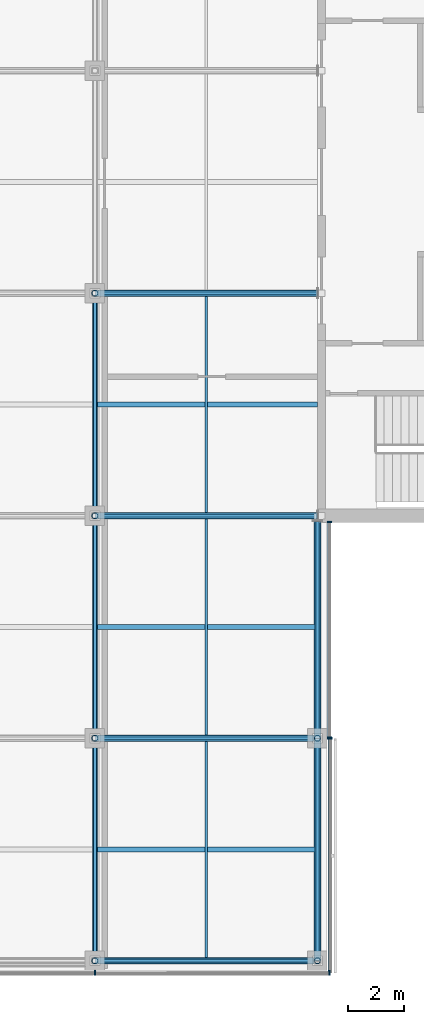
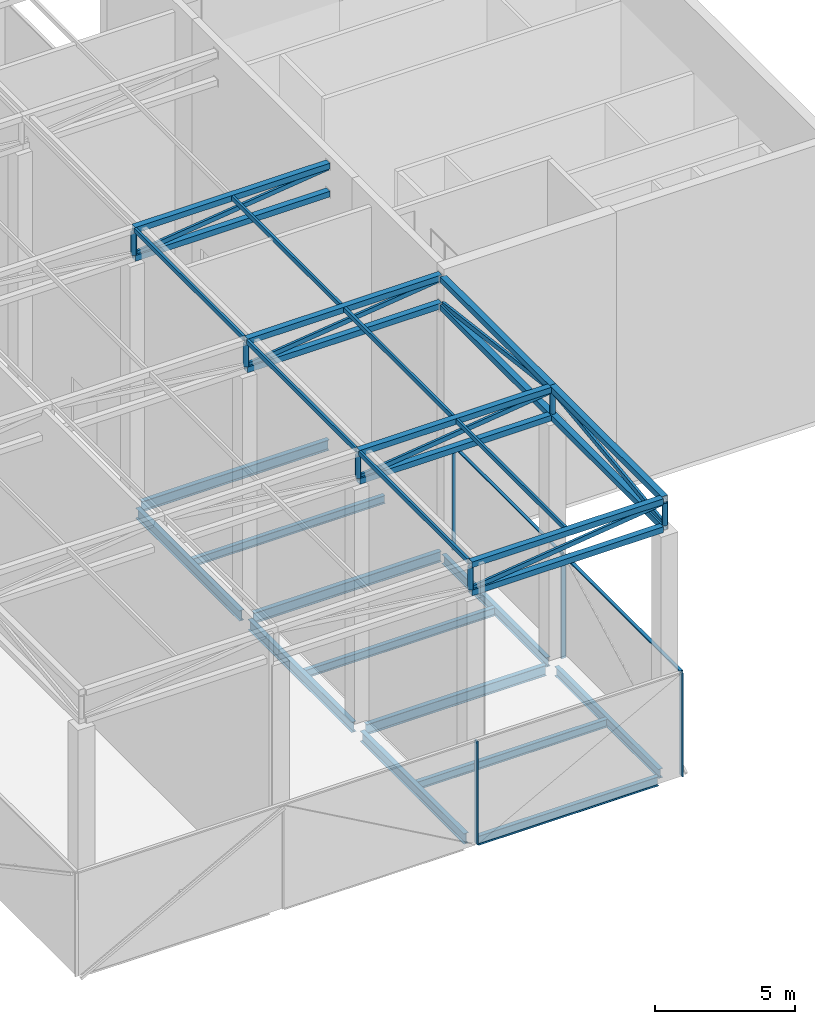
# One storey, part 5 of 23: 37 members, 12 beams, 3 elements without a shape of their own.
"""IFC4 building model written with IfcOpenShell, lengths in metres."""

from ifc_helpers import new_model, si_unit, direction, frame, origin, origin_2d, place, context, subcontext, project, spatial, rectangle, hollow_rectangle, hollow_circle, i_section, extrude, material, material_profile, profile_set, type_object, element, aggregate, save


model = new_model("IFC4")

# Units and contexts
model_context = context("Model", 3, precision=1e-05, world=origin(), true_north=direction((0.0, 1.0)))
body_context = subcontext(model_context, "Body", "Model", "MODEL_VIEW")
ifc_project = project(units=[si_unit("LENGTHUNIT", "METRE"), si_unit("AREAUNIT", "SQUARE_METRE"), si_unit("VOLUMEUNIT", "CUBIC_METRE"), si_unit("PLANEANGLEUNIT", "RADIAN"), si_unit("MASSUNIT", "GRAM", prefix="KILO")], contexts=[model_context])

# Site, building, storey
site_placement = place(None, origin())
site = spatial("IfcSite", under=ifc_project, at=site_placement, CompositionType="ELEMENT")
building_placement = place(site_placement, origin())
building = spatial("IfcBuilding", under=site, at=building_placement, Name="Crosswind Convention Tower", CompositionType="ELEMENT")
storey_placement = place(building_placement, frame((0.0, 0.0, 349.10009765625)))
storey = spatial("IfcBuildingStorey", under=building, at=storey_placement, Name="L76", CompositionType="ELEMENT", Elevation=349.10009765625)

# Beams
ifc_material_1 = material(Name="Steel S355", Category="steel")
ifc_material_profile_1 = material_profile(ifc_material_1, i_section(OverallWidth=0.177490234375, OverallDepth=0.402587890625, WebThickness=0.007568359375, FlangeThickness=0.010986328125, FilletRadius=0.01025390625, at=origin_2d()), Name="UB 406x178x54")
ifc_profile_set_1 = profile_set([ifc_material_profile_1], Name="Steel S355")
beam_type_1 = type_object("IfcBeamType", Name="Edge beam UB 406x178x54", PredefinedType="SPANDREL", material=ifc_profile_set_1)
for number, where, z_axis, x_axis, name in (
    (1, (129.300048828125, 72.0, -0.551513671875), (1.0, 0.0, 0.0), (0.0, 1.0, 0.0), "B14 L76 edge beam 9"),
    (2, (137.0, 72.300048828125, -0.551513671875), (0.0, 1.0, 0.0), (-1.0, 0.0, 0.0), "B14 L76 edge beam 11"),
):
    element("IfcBeam", number, at=place(storey_placement, frame(where, z_axis=z_axis, x_axis=x_axis)), inside=storey, type_object=beam_type_1, Name=name, PredefinedType="SPANDREL", context=body_context, shape_type="SweptSolid", body=[
        extrude(i_section(OverallWidth=0.177490234375, OverallDepth=0.402587890625, WebThickness=0.007568359375, FlangeThickness=0.010986328125, FilletRadius=0.01025390625, at=origin_2d()), origin(), (0.0, 0.0, 1.0), 7.39990234375),
    ])
beam_1_placement = place(storey_placement, frame((137.0, 80.300048828125, -0.551513671875), z_axis=(0.0, 1.0, 0.0), x_axis=(-1.0, 0.0, 0.0)))
element("IfcBeam", 3, at=beam_1_placement, inside=storey, type_object=beam_type_1, Name="B14 L76 edge beam 12", PredefinedType="SPANDREL", context=body_context, shape_type="SweptSolid", body=[
    extrude(i_section(OverallWidth=0.177490234375, OverallDepth=0.402587890625, WebThickness=0.007568359375, FlangeThickness=0.010986328125, FilletRadius=0.01025390625, at=origin_2d()), origin(), (0.0, 0.0, 1.0), 7.449951171875),
])
ifc_material_profile_2 = material_profile(ifc_material_1, i_section(OverallWidth=0.18994140625, OverallDepth=0.45361328125, WebThickness=0.008544921875, FlangeThickness=0.0126953125, FilletRadius=0.01025390625, at=origin_2d()), Name="UB 457x191x67")
ifc_profile_set_2 = profile_set([ifc_material_profile_2], Name="Steel S355")
beam_type_2 = type_object("IfcBeamType", Name="Girder UB 457x191x67", PredefinedType="BEAM", material=ifc_profile_set_2)
for number, where, z_axis, x_axis, name in (
    (4, (129.0, 72.300048828125, -0.576904296875), (0.0, 1.0, 0.0), (-1.0, 0.0, 0.0), "B1 L76 girder 16"),
    (5, (129.0, 80.300048828125, -0.576904296875), (0.0, 1.0, 0.0), (-1.0, 0.0, 0.0), "B1 L76 girder 17"),
    (6, (129.0, 88.300048828125, -0.576904296875), (0.0, 1.0, 0.0), (-1.0, 0.0, 0.0), "B1 L76 girder 18"),
    (7, (129.300048828125, 80.0, -0.576904296875), (1.0, 0.0, 0.0), (0.0, 1.0, 0.0), "B1 L76 girder 23"),
):
    element("IfcBeam", number, at=place(storey_placement, frame(where, z_axis=z_axis, x_axis=x_axis)), inside=storey, type_object=beam_type_2, Name=name, PredefinedType="BEAM", context=body_context, shape_type="SweptSolid", body=[
        extrude(i_section(OverallWidth=0.18994140625, OverallDepth=0.45361328125, WebThickness=0.008544921875, FlangeThickness=0.0126953125, FilletRadius=0.01025390625, at=origin_2d()), origin(), (0.0, 0.0, 1.0), 7.39990234375),
    ])
ifc_material_profile_3 = material_profile(ifc_material_1, i_section(OverallWidth=0.18994140625, OverallDepth=0.45361328125, WebThickness=0.008544921875, FlangeThickness=0.0126953125, FilletRadius=0.01025390625, at=origin_2d()), Name="UB 457x191x67")
ifc_profile_set_3 = profile_set([ifc_material_profile_3], Name="Steel S355")
beam_type_3 = type_object("IfcBeamType", Name="Girder at core wall UB 457x191x67", PredefinedType="BEAM", material=ifc_profile_set_3)
for number, where, z_axis, x_axis, name in (
    (8, (129.300048828125, 88.0, -0.576904296875), (1.0, 0.0, 0.0), (0.0, 1.0, 0.0), "B21 L76 girder at core wall 5"),
    (9, (129.300048828125, 96.0, -0.576904296875), (1.0, 0.0, 0.0), (0.0, 1.0, 0.0), "B21 L76 girder at core wall 6"),
):
    element("IfcBeam", number, at=place(storey_placement, frame(where, z_axis=z_axis, x_axis=x_axis)), inside=storey, type_object=beam_type_3, Name=name, PredefinedType="BEAM", context=body_context, shape_type="SweptSolid", body=[
        extrude(i_section(OverallWidth=0.18994140625, OverallDepth=0.45361328125, WebThickness=0.008544921875, FlangeThickness=0.0126953125, FilletRadius=0.01025390625, at=origin_2d()), origin(), (0.0, 0.0, 1.0), 7.699951171875),
    ])

# Curtain wall, members
ifc_material_2 = material(Name="Aluminium unitised curtain wall", Category="aluminium")
curtain_wall_type_1 = type_object("IfcCurtainWallType", Name="CORE END SLOT WALL 160", PredefinedType="USERDEFINED", material=ifc_material_2)
curtain_wall_1_placement = place(storey_placement, origin())
curtain_wall_1 = element("IfcCurtainWall", 10, at=curtain_wall_1_placement, inside=storey, type_object=curtain_wall_type_1, Name="CW6 L76 S-E.1-2 slot", ObjectType="UNITISED", PredefinedType="USERDEFINED")
ifc_material_3 = material(Name="Aluminium mullion", Category="aluminium")
ifc_material_profile_4 = material_profile(ifc_material_3, rectangle(XDim=0.159912109375, YDim=0.050048828125, at=origin_2d()), Name="AL 160X50")
ifc_profile_set_4 = profile_set([ifc_material_profile_4], Name="Aluminium mullion")
member_type_1 = type_object("IfcMemberType", Name="MULLION 50X160", PredefinedType="MULLION", material=ifc_profile_set_4)
member_1_placement = place(storey_placement, frame((137.429931640625, 80.02490234375, -0.35009765625), z_axis=(0.0, 0.0, 1.0), x_axis=(1.0, 0.0, 0.0)))
member_1 = element("IfcMember", 11, at=member_1_placement, type_object=member_type_1, Name="CW6 mullion 1", PredefinedType="MULLION", context=body_context, shape_type="SweptSolid", body=[
    extrude(rectangle(XDim=0.159912109375, YDim=0.050048828125, at=origin_2d()), origin(), (0.0, 0.0, 1.0), 4.5),
])
member_2_placement = place(storey_placement, frame((137.429931640625, 87.77490234375, -0.35009765625), z_axis=(0.0, 0.0, 1.0), x_axis=(1.0, 0.0, 0.0)))
member_2 = element("IfcMember", 12, at=member_2_placement, type_object=member_type_1, Name="CW6 mullion 2", PredefinedType="MULLION", context=body_context, shape_type="SweptSolid", body=[
    extrude(rectangle(XDim=0.159912109375, YDim=0.050048828125, at=origin_2d()), origin(), (0.0, 0.0, 1.0), 4.5),
])

curtain_wall_type_2 = type_object("IfcCurtainWallType", Name="CROWN WINDBREAK WALL 180", PredefinedType="USERDEFINED", material=ifc_material_2)
curtain_wall_2_placement = place(storey_placement, origin())
curtain_wall_2 = element("IfcCurtainWall", 13, at=curtain_wall_2_placement, inside=storey, type_object=curtain_wall_type_2, Name="CW5 L76 S-TIP 1", ObjectType="UNITISED", PredefinedType="USERDEFINED")
ifc_material_profile_5 = material_profile(ifc_material_3, rectangle(XDim=0.179931640625, YDim=0.06005859375, at=origin_2d()), Name="AL 180X60")
ifc_profile_set_5 = profile_set([ifc_material_profile_5], Name="Aluminium mullion")
member_type_2 = type_object("IfcMemberType", Name="MULLION 60X180", PredefinedType="MULLION", material=ifc_profile_set_5)
member_3_placement = place(storey_placement, frame((129.0, 71.56005859375, -0.35009765625), z_axis=(0.0, 0.0, 1.0), x_axis=(0.0, -1.0, 0.0)))
member_3 = element("IfcMember", 14, at=member_3_placement, type_object=member_type_2, Name="CW5 mullion 3", PredefinedType="MULLION", context=body_context, shape_type="SweptSolid", body=[
    extrude(rectangle(XDim=0.179931640625, YDim=0.06005859375, at=origin_2d()), origin(), (0.0, 0.0, 1.0), 4.489990234375),
])
member_4_placement = place(storey_placement, frame((137.43994140625, 71.56005859375, -0.35009765625), z_axis=(0.0, 0.0, 1.0), x_axis=(0.0, -1.0, 0.0)))
member_4 = element("IfcMember", 15, at=member_4_placement, type_object=member_type_2, Name="CW5 mullion 4", PredefinedType="MULLION", context=body_context, shape_type="SweptSolid", body=[
    extrude(rectangle(XDim=0.179931640625, YDim=0.06005859375, at=origin_2d()), origin(), (0.0, 0.0, 1.0), 4.489990234375),
])
aggregate(curtain_wall_2, [member_3, member_4])

# Curtain wall, member
curtain_wall_3_placement = place(storey_placement, origin())
curtain_wall_3 = element("IfcCurtainWall", 16, at=curtain_wall_3_placement, inside=storey, type_object=curtain_wall_type_2, Name="CW5 L76 S-E 1", ObjectType="UNITISED", PredefinedType="USERDEFINED")
member_5_placement = place(storey_placement, frame((137.43994140625, 80.0, -0.35009765625), z_axis=(0.0, 0.0, 1.0), x_axis=(1.0, 0.0, 0.0)))
member_5 = element("IfcMember", 17, at=member_5_placement, type_object=member_type_2, Name="CW5 mullion 2", PredefinedType="MULLION", context=body_context, shape_type="SweptSolid", body=[
    extrude(rectangle(XDim=0.179931640625, YDim=0.06005859375, at=origin_2d()), origin(), (0.0, 0.0, 1.0), 4.489990234375),
])

# Members
ifc_material_profile_6 = material_profile(ifc_material_1, hollow_rectangle(XDim=0.10009765625, YDim=0.199951171875, WallThickness=0.010009765625, at=origin_2d()), Name="RHS 200x100x10.0")
ifc_profile_set_6 = profile_set([ifc_material_profile_6], Name="Steel S355")
member_type_3 = type_object("IfcMemberType", Name="Roof purlin RHS 200x100x10.0", PredefinedType="PURLIN", material=ifc_profile_set_6)
for number, where, z_axis, x_axis, name in (
    (18, (129.0, 72.125, 11.599853515625), (0.0, 1.0, 0.0), (-1.0, 0.0, 0.0), "M14 L76 roof purlin 4"),
    (19, (133.0, 72.125, 11.599853515625), (0.0, 1.0, 0.0), (-1.0, 0.0, 0.0), "M14 L76 roof purlin 5"),
    (20, (129.0, 80.125, 11.599853515625), (0.0, 1.0, 0.0), (-1.0, 0.0, 0.0), "M14 L76 roof purlin 9"),
    (21, (133.0, 80.125, 11.599853515625), (0.0, 1.0, 0.0), (-1.0, 0.0, 0.0), "M14 L76 roof purlin 10"),
    (22, (129.0, 88.125, 11.599853515625), (0.0, 1.0, 0.0), (-1.0, 0.0, 0.0), "M14 L76 roof purlin 14"),
    (23, (133.0, 88.125, 11.599853515625), (0.0, 1.0, 0.0), (-1.0, 0.0, 0.0), "M14 L76 roof purlin 15"),
):
    element("IfcMember", number, at=place(storey_placement, frame(where, z_axis=z_axis, x_axis=x_axis)), inside=storey, type_object=member_type_3, Name=name, PredefinedType="PURLIN", context=body_context, shape_type="SweptSolid", body=[
        extrude(hollow_rectangle(XDim=0.10009765625, YDim=0.199951171875, WallThickness=0.010009765625, at=origin_2d()), origin(), (0.0, 0.0, 1.0), 7.75),
    ])
ifc_material_profile_7 = material_profile(ifc_material_1, hollow_rectangle(XDim=0.25, YDim=0.25, WallThickness=0.010009765625, at=origin_2d()), Name="SHS 250x250x10.0")
ifc_profile_set_7 = profile_set([ifc_material_profile_7], Name="Steel S355")
member_type_4 = type_object("IfcMemberType", Name="Roof truss chord SHS 250x250x10.0", PredefinedType="CHORD", material=ifc_profile_set_7)
for number, where, z_axis, x_axis, name in (
    (24, (129.0, 72.0, 10.35498046875), (1.0, 0.0, 0.0), (0.0, 1.0, 0.0), "M11 L76 roof truss 1 bottom chord 3"),
    (25, (129.0, 72.0, 11.574951171875), (1.0, 0.0, 0.0), (0.0, 1.0, 0.0), "M11 L76 roof truss 1 top chord 3"),
    (26, (129.0, 80.0, 10.35498046875), (1.0, 0.0, 0.0), (0.0, 1.0, 0.0), "M11 L76 roof truss 2 bottom chord 3"),
    (27, (129.0, 80.0, 11.574951171875), (1.0, 0.0, 0.0), (0.0, 1.0, 0.0), "M11 L76 roof truss 2 top chord 3"),
):
    element("IfcMember", number, at=place(storey_placement, frame(where, z_axis=z_axis, x_axis=x_axis)), inside=storey, type_object=member_type_4, Name=name, PredefinedType="CHORD", context=body_context, shape_type="SweptSolid", body=[
        extrude(hollow_rectangle(XDim=0.25, YDim=0.25, WallThickness=0.010009765625, at=origin_2d()), origin(), (0.0, 0.0, 1.0), 7.875),
    ])
for number, where, z_axis, x_axis, name in (
    (28, (129.0, 88.0, 10.35498046875), (1.0, 0.0, 0.0), (0.0, 1.0, 0.0), "M11 L76 roof truss 3 bottom chord 3"),
    (29, (129.0, 88.0, 11.574951171875), (1.0, 0.0, 0.0), (0.0, 1.0, 0.0), "M11 L76 roof truss 3 top chord 3"),
    (30, (129.0, 96.0, 10.35498046875), (1.0, 0.0, 0.0), (0.0, 1.0, 0.0), "M11 L76 roof truss 4 bottom chord 3"),
    (31, (129.0, 96.0, 11.574951171875), (1.0, 0.0, 0.0), (0.0, 1.0, 0.0), "M11 L76 roof truss 4 top chord 3"),
    (32, (137.0, 72.0, 10.35498046875), (0.0, 1.0, 0.0), (-1.0, 0.0, 0.0), "M11 L76 roof truss 12 bottom chord 1"),
    (33, (137.0, 72.0, 11.574951171875), (0.0, 1.0, 0.0), (-1.0, 0.0, 0.0), "M11 L76 roof truss 12 top chord 1"),
):
    element("IfcMember", number, at=place(storey_placement, frame(where, z_axis=z_axis, x_axis=x_axis)), inside=storey, type_object=member_type_4, Name=name, PredefinedType="CHORD", context=body_context, shape_type="SweptSolid", body=[
        extrude(hollow_rectangle(XDim=0.25, YDim=0.25, WallThickness=0.010009765625, at=origin_2d()), origin(), (0.0, 0.0, 1.0), 8.0),
    ])
for number, where, z_axis, x_axis, name in (
    (34, (137.0, 80.0, 10.35498046875), (0.0, 1.0, 0.0), (-1.0, 0.0, 0.0), "M11 L76 roof truss 12 bottom chord 2"),
    (35, (137.0, 80.0, 11.574951171875), (0.0, 1.0, 0.0), (-1.0, 0.0, 0.0), "M11 L76 roof truss 12 top chord 2"),
):
    element("IfcMember", number, at=place(storey_placement, frame(where, z_axis=z_axis, x_axis=x_axis)), inside=storey, type_object=member_type_4, Name=name, PredefinedType="CHORD", context=body_context, shape_type="SweptSolid", body=[
        extrude(hollow_rectangle(XDim=0.25, YDim=0.25, WallThickness=0.010009765625, at=origin_2d()), origin(), (0.0, 0.0, 1.0), 7.800048828125),
    ])
ifc_material_profile_8 = material_profile(ifc_material_1, hollow_rectangle(XDim=0.10009765625, YDim=0.199951171875, WallThickness=0.010009765625, at=origin_2d()), Name="RHS 200x100x10.0")
ifc_profile_set_8 = profile_set([ifc_material_profile_8], Name="Steel S355")
member_type_5 = type_object("IfcMemberType", Name="Roof truss diagonal RHS 200x100x10.0", PredefinedType="BRACE", material=ifc_profile_set_8)
for number, where, z_axis, x_axis, name in (
    (36, (129.0, 72.0, 10.47998046875), (0.992499700374, 0.0, 0.122247064409), (0.0, 1.0, 0.0), "M12 L76 roof truss 1 diagonal 3"),
    (37, (129.0, 80.0, 10.47998046875), (0.992499700374, 0.0, 0.122247064409), (0.0, 1.0, 0.0), "M12 L76 roof truss 2 diagonal 3"),
):
    element("IfcMember", number, at=place(storey_placement, frame(where, z_axis=z_axis, x_axis=x_axis)), inside=storey, type_object=member_type_5, Name=name, PredefinedType="BRACE", context=body_context, shape_type="SweptSolid", body=[
        extrude(hollow_rectangle(XDim=0.10009765625, YDim=0.199951171875, WallThickness=0.010009765625, at=origin_2d()), origin(), (0.0, 0.0, 1.0), 7.9345703125),
    ])
for number, where, z_axis, x_axis, name in (
    (38, (129.0, 88.0, 10.47998046875), (0.992729723764, 0.0, 0.120364843522), (0.0, 1.0, 0.0), "M12 L76 roof truss 3 diagonal 3"),
    (39, (129.0, 96.0, 10.47998046875), (0.992729723764, 0.0, 0.120364843522), (0.0, 1.0, 0.0), "M12 L76 roof truss 4 diagonal 3"),
    (40, (137.0, 72.0, 10.47998046875), (0.0, 0.992729723764, 0.120364843522), (-1.0, 0.0, 0.0), "M12 L76 roof truss 12 diagonal 1"),
):
    element("IfcMember", number, at=place(storey_placement, frame(where, z_axis=z_axis, x_axis=x_axis)), inside=storey, type_object=member_type_5, Name=name, PredefinedType="BRACE", context=body_context, shape_type="SweptSolid", body=[
        extrude(hollow_rectangle(XDim=0.10009765625, YDim=0.199951171875, WallThickness=0.010009765625, at=origin_2d()), origin(), (0.0, 0.0, 1.0), 8.05859375),
    ])
member_6_placement = place(storey_placement, frame((137.0, 80.0, 11.449951171875), z_axis=(0.0, 0.992356522481, -0.123403939523), x_axis=(-1.0, 0.0, 0.0)))
element("IfcMember", 41, at=member_6_placement, inside=storey, type_object=member_type_5, Name="M12 L76 roof truss 12 diagonal 2", PredefinedType="BRACE", context=body_context, shape_type="SweptSolid", body=[
    extrude(hollow_rectangle(XDim=0.10009765625, YDim=0.199951171875, WallThickness=0.010009765625, at=origin_2d()), origin(), (0.0, 0.0, 1.0), 7.860107421875),
])
ifc_material_profile_9 = material_profile(ifc_material_1, hollow_circle(Radius=0.109619140625, WallThickness=0.010009765625, at=origin_2d()), Name="CHS 219.1x10.0")
ifc_profile_set_9 = profile_set([ifc_material_profile_9], Name="Steel S355")
member_type_6 = type_object("IfcMemberType", Name="Roof truss post CHS 219.1x10.0", PredefinedType="POST", material=ifc_profile_set_9)
for number, where, z_axis, x_axis, name in (
    (42, (129.0, 72.0, 10.47998046875), (0.0, 0.0, 1.0), (1.0, 0.0, 0.0), "M13 L76 roof truss 1 post 2"),
    (43, (129.0, 80.0, 10.47998046875), (0.0, 0.0, 1.0), (1.0, 0.0, 0.0), "M13 L76 roof truss 2 post 2"),
    (44, (129.0, 88.0, 10.47998046875), (0.0, 0.0, 1.0), (1.0, 0.0, 0.0), "M13 L76 roof truss 3 post 2"),
    (45, (129.0, 96.0, 10.47998046875), (0.0, 0.0, 1.0), (1.0, 0.0, 0.0), "M13 L76 roof truss 4 post 2"),
    (46, (137.0, 72.0, 10.47998046875), (0.0, 0.0, 1.0), (1.0, 0.0, 0.0), "M13 L76 roof truss 12 corner post"),
    (47, (137.0, 80.0, 10.47998046875), (0.0, 0.0, 1.0), (1.0, 0.0, 0.0), "M13 L76 roof truss 12 post 1"),
):
    element("IfcMember", number, at=place(storey_placement, frame(where, z_axis=z_axis, x_axis=x_axis)), inside=storey, type_object=member_type_6, Name=name, PredefinedType="POST", context=body_context, shape_type="SweptSolid", body=[
        extrude(hollow_circle(Radius=0.109619140625, WallThickness=0.010009765625, at=origin_2d()), origin(), (0.0, 0.0, 1.0), 0.969970703125),
    ])

# Beams
ifc_material_profile_10 = material_profile(ifc_material_1, i_section(OverallWidth=0.1708984375, OverallDepth=0.35205078125, WebThickness=0.0068359375, FlangeThickness=0.009765625, FilletRadius=0.01025390625, at=origin_2d()), Name="UB 356x171x45")
ifc_profile_set_10 = profile_set([ifc_material_profile_10], Name="Steel S355")
beam_type_4 = type_object("IfcBeamType", Name="Secondary beam UB 356x171x45", PredefinedType="JOIST", material=ifc_profile_set_10)
for number, where, z_axis, x_axis, name in (
    (48, (129.094970703125, 76.0, -0.526123046875), (1.0, 0.0, 0.0), (0.0, 1.0, 0.0), "B7 L76 secondary beam 15"),
    (49, (129.094970703125, 84.0, -0.526123046875), (1.0, 0.0, 0.0), (0.0, 1.0, 0.0), "B7 L76 secondary beam 16"),
):
    element("IfcBeam", number, at=place(storey_placement, frame(where, z_axis=z_axis, x_axis=x_axis)), inside=storey, type_object=beam_type_4, Name=name, PredefinedType="JOIST", context=body_context, shape_type="SweptSolid", body=[
        extrude(i_section(OverallWidth=0.1708984375, OverallDepth=0.35205078125, WebThickness=0.0068359375, FlangeThickness=0.009765625, FilletRadius=0.01025390625, at=origin_2d()), origin(), (0.0, 0.0, 1.0), 7.816162109375),
    ])
beam_2_placement = place(storey_placement, frame((129.094970703125, 92.0, -0.526123046875), z_axis=(1.0, 0.0, 0.0), x_axis=(0.0, 1.0, 0.0)))
element("IfcBeam", 50, at=beam_2_placement, inside=storey, type_object=beam_type_4, Name="B7 L76 secondary beam 17", PredefinedType="JOIST", context=body_context, shape_type="SweptSolid", body=[
    extrude(i_section(OverallWidth=0.1708984375, OverallDepth=0.35205078125, WebThickness=0.0068359375, FlangeThickness=0.009765625, FilletRadius=0.01025390625, at=origin_2d()), origin(), (0.0, 0.0, 1.0), 7.905029296875),
])

# Member
ifc_material_4 = material(Name="Aluminium transom", Category="aluminium")
ifc_material_profile_11 = material_profile(ifc_material_4, rectangle(XDim=0.1201171875, YDim=0.050048828125, at=origin_2d()), Name="AL 120X50")
ifc_profile_set_11 = profile_set([ifc_material_profile_11], Name="Aluminium transom")
member_type_7 = type_object("IfcMemberType", Name="TRANSOM 50X120", PredefinedType="USERDEFINED", material=ifc_profile_set_11)
member_7_placement = place(storey_placement, frame((137.429931640625, 80.050048828125, 4.1748046875), z_axis=(0.0, 1.0, 0.0), x_axis=(-1.0, 0.0, 0.0)))
member_7 = element("IfcMember", 51, at=member_7_placement, type_object=member_type_7, Name="CW6 transom", ObjectType="TRANSOM", PredefinedType="USERDEFINED", context=body_context, shape_type="SweptSolid", body=[
    extrude(rectangle(XDim=0.1201171875, YDim=0.050048828125, at=origin_2d()), origin(), (0.0, 0.0, 1.0), 7.699951171875),
])

aggregate(curtain_wall_1, [member_1, member_2, member_7])

ifc_material_profile_12 = material_profile(ifc_material_4, rectangle(XDim=0.1298828125, YDim=0.06005859375, at=origin_2d()), Name="AL 130X60")
ifc_profile_set_12 = profile_set([ifc_material_profile_12], Name="Aluminium transom")
member_type_8 = type_object("IfcMemberType", Name="TRANSOM 60X130", PredefinedType="USERDEFINED", material=ifc_profile_set_12)
member_8_placement = place(storey_placement, frame((137.43994140625, 71.590087890625, 4.169921875), z_axis=(0.0, 1.0, 0.0), x_axis=(-1.0, 0.0, 0.0)))
member_8 = element("IfcMember", 52, at=member_8_placement, type_object=member_type_8, Name="CW5 transom", ObjectType="TRANSOM", PredefinedType="USERDEFINED", context=body_context, shape_type="SweptSolid", body=[
    extrude(rectangle(XDim=0.1298828125, YDim=0.06005859375, at=origin_2d()), origin(), (0.0, 0.0, 1.0), 8.3798828125),
])

aggregate(curtain_wall_3, [member_5, member_8])

save(model, "model.ifc")
